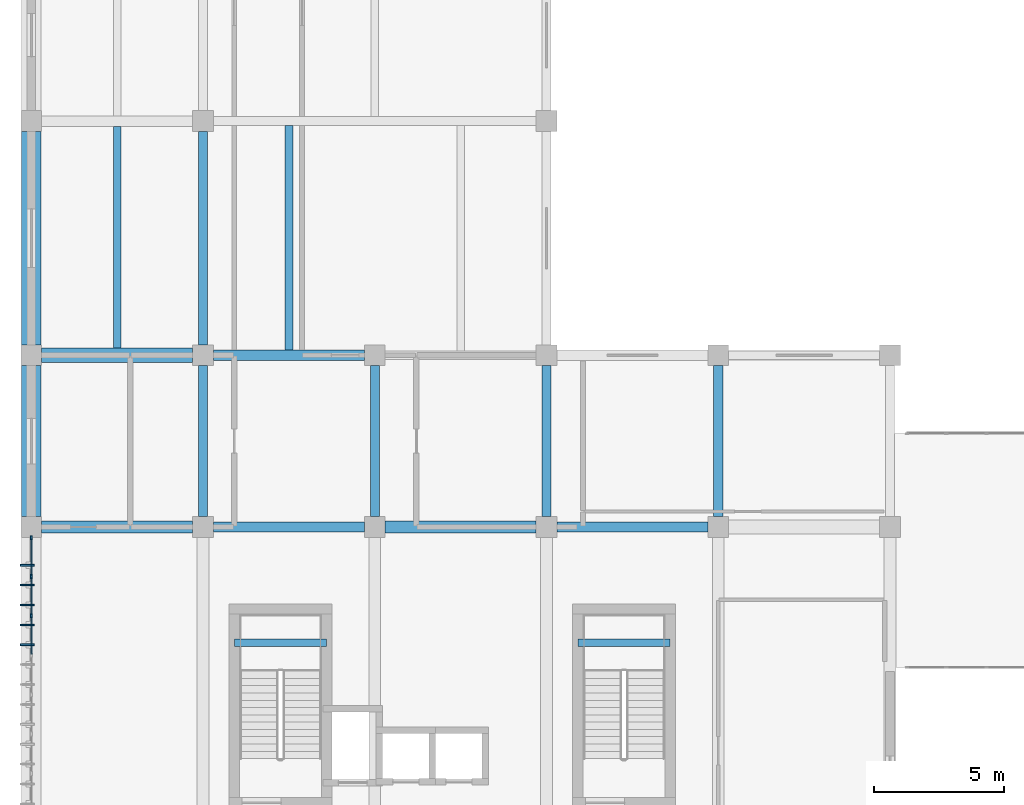
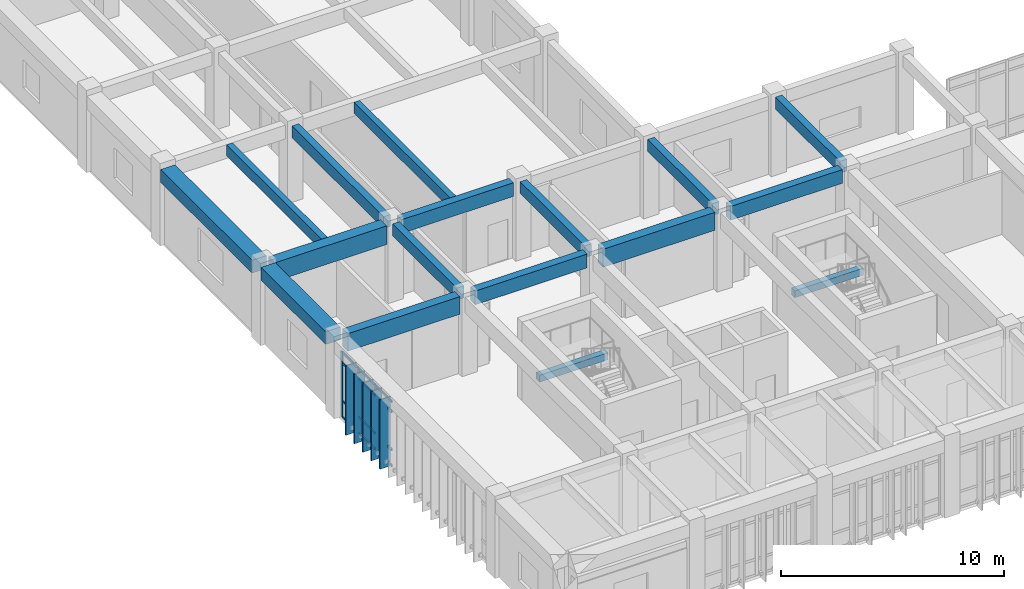
# One storey, part 5 of 54: 20 members, 17 beams, 1 element without a shape of its own.
"""IFC4 building model written with IfcOpenShell, lengths in metres."""

from ifc_helpers import new_model, si_unit, direction, frame, origin, origin_2d, place, context, subcontext, project, spatial, rectangle, extrude, material, layer, layer_set, material_profile, profile_set, type_object, element, aggregate, save


model = new_model("IFC4")

# Units and contexts
model_context = context("Model", 3, precision=1e-05, world=origin(), true_north=direction((0.0, 1.0)))
body_context = subcontext(model_context, "Body", "Model", "MODEL_VIEW")
ifc_project = project(units=[si_unit("LENGTHUNIT", "METRE"), si_unit("AREAUNIT", "SQUARE_METRE"), si_unit("VOLUMEUNIT", "CUBIC_METRE"), si_unit("PLANEANGLEUNIT", "RADIAN"), si_unit("MASSUNIT", "GRAM", prefix="KILO")], contexts=[model_context])

# Site, building, storey
site_placement = place(None, origin())
site = spatial("IfcSite", under=ifc_project, at=site_placement, CompositionType="ELEMENT")
building_placement = place(site_placement, origin())
building = spatial("IfcBuilding", under=site, at=building_placement, Name="Miralva Faculty of Natural Sciences", CompositionType="ELEMENT")
storey_placement = place(building_placement, frame((0.0, 0.0, 19.5)))
storey = spatial("IfcBuildingStorey", under=building, at=storey_placement, Name="L04", CompositionType="ELEMENT", Elevation=19.5)

# Beams
ifc_material_1 = material(Name="Concrete C40/50", Category="concrete")
ifc_material_profile_1 = material_profile(ifc_material_1, rectangle(XDim=0.39990234375, YDim=0.75, at=origin_2d()), Name="RC 400x750")
ifc_profile_set_1 = profile_set([ifc_material_profile_1], Name="Concrete C40/50")
beam_type_1 = type_object("IfcBeamType", Name="BM-B03", PredefinedType="BEAM", material=ifc_profile_set_1)
for number, where, z_axis, x_axis, name in (
    (1, (10.0, 23.39990234375, 3.905029296875), (1.0, 0.0, 0.0), (0.0, 1.0, 0.0), "Girder EW L04-12"),
    (2, (23.199951171875, 23.39990234375, 3.905029296875), (1.0, 0.0, 0.0), (0.0, 1.0, 0.0), "Girder EW L04-14"),
    (3, (10.0, 30.0, 3.804931640625), (1.0, 0.0, 0.0), (0.0, 1.0, 0.0), "Girder EW L04-18"),
):
    element("IfcBeam", number, at=place(storey_placement, frame(where, z_axis=z_axis, x_axis=x_axis)), inside=storey, type_object=beam_type_1, Name=name, PredefinedType="BEAM", context=body_context, shape_type="SweptSolid", body=[
        extrude(rectangle(XDim=0.39990234375, YDim=0.75, at=origin_2d()), origin(), (0.0, 0.0, 1.0), 5.800048828125),
    ])
ifc_material_profile_2 = material_profile(ifc_material_1, rectangle(XDim=0.35009765625, YDim=0.64990234375, at=origin_2d()), Name="RC 350x650")
ifc_profile_set_2 = profile_set([ifc_material_profile_2], Name="Concrete C40/50")
beam_type_2 = type_object("IfcBeamType", Name="BM-B05", PredefinedType="BEAM", material=ifc_profile_set_2)
beam_1_placement = place(storey_placement, frame((9.60009765625, 23.800048828125, 3.955078125), z_axis=(0.0, 1.0, 0.0), x_axis=(-1.0, 0.0, 0.0)))
element("IfcBeam", 4, at=beam_1_placement, inside=storey, type_object=beam_type_2, Name="Girder NS L04-48", PredefinedType="BEAM", context=body_context, shape_type="SweptSolid", body=[
    extrude(rectangle(XDim=0.35009765625, YDim=0.64990234375, at=origin_2d()), origin(), (0.0, 0.0, 1.0), 5.800048828125),
])
beam_2_placement = place(storey_placement, frame((9.60009765625, 30.39990234375, 3.85498046875), z_axis=(0.0, 1.0, 0.0), x_axis=(-1.0, 0.0, 0.0)))
element("IfcBeam", 5, at=beam_2_placement, inside=storey, type_object=beam_type_2, Name="Girder NS L04-49", PredefinedType="BEAM", context=body_context, shape_type="SweptSolid", body=[
    extrude(rectangle(XDim=0.35009765625, YDim=0.64990234375, at=origin_2d()), origin(), (0.0, 0.0, 1.0), 8.2001953125),
])
for number, where, z_axis, x_axis, name in (
    (6, (16.199951171875, 23.800048828125, 3.955078125), (0.0, 1.0, 0.0), (-1.0, 0.0, 0.0), "Girder NS L04-58"),
    (7, (22.800048828125, 23.800048828125, 3.955078125), (0.0, 1.0, 0.0), (-1.0, 0.0, 0.0), "Girder NS L04-61"),
    (8, (29.39990234375, 23.800048828125, 3.955078125), (0.0, 1.0, 0.0), (-1.0, 0.0, 0.0), "Girder NS L04-71"),
):
    element("IfcBeam", number, at=place(storey_placement, frame(where, z_axis=z_axis, x_axis=x_axis)), inside=storey, type_object=beam_type_2, Name=name, PredefinedType="BEAM", context=body_context, shape_type="SweptSolid", body=[
        extrude(rectangle(XDim=0.35009765625, YDim=0.64990234375, at=origin_2d()), origin(), (0.0, 0.0, 1.0), 5.800048828125),
    ])
ifc_material_profile_3 = material_profile(ifc_material_1, rectangle(XDim=0.4599609375, YDim=0.9599609375, at=origin_2d()), Name="RC 460x960")
ifc_profile_set_3 = profile_set([ifc_material_profile_3], Name="Concrete C40/50")
beam_type_3 = type_object("IfcBeamType", Name="BM-BG16", PredefinedType="BEAM", material=ifc_profile_set_3)
beam_3_placement = place(storey_placement, frame((3.39990234375, 23.39990234375, 3.800048828125), z_axis=(1.0, 0.0, 0.0), x_axis=(0.0, 1.0, 0.0)))
element("IfcBeam", 9, at=beam_3_placement, inside=storey, type_object=beam_type_3, Name="Girder EW L04-11", PredefinedType="BEAM", context=body_context, shape_type="SweptSolid", body=[
    extrude(rectangle(XDim=0.4599609375, YDim=0.9599609375, at=origin_2d()), origin(), (0.0, 0.0, 1.0), 5.800048828125),
])
ifc_material_profile_4 = material_profile(ifc_material_1, rectangle(XDim=0.47998046875, YDim=0.97998046875, at=origin_2d()), Name="RC 480x980")
ifc_profile_set_4 = profile_set([ifc_material_profile_4], Name="Concrete C40/50")
beam_type_4 = type_object("IfcBeamType", Name="BM-BG18", PredefinedType="BEAM", material=ifc_profile_set_4)
beam_4_placement = place(storey_placement, frame((16.60009765625, 23.39990234375, 3.7900390625), z_axis=(1.0, 0.0, 0.0), x_axis=(0.0, 1.0, 0.0)))
element("IfcBeam", 10, at=beam_4_placement, inside=storey, type_object=beam_type_4, Name="Girder EW L04-13", PredefinedType="BEAM", context=body_context, shape_type="SweptSolid", body=[
    extrude(rectangle(XDim=0.47998046875, YDim=0.97998046875, at=origin_2d()), origin(), (0.0, 0.0, 1.0), 5.7998046875),
])
ifc_material_profile_5 = material_profile(ifc_material_1, rectangle(XDim=0.56005859375, YDim=1.02001953125, at=origin_2d()), Name="RC 560x1020")
ifc_profile_set_5 = profile_set([ifc_material_profile_5], Name="Concrete C40/50")
beam_type_5 = type_object("IfcBeamType", Name="BM-BG22", PredefinedType="BEAM", material=ifc_profile_set_5)
beam_5_placement = place(storey_placement, frame((3.39990234375, 30.0, 3.669921875), z_axis=(1.0, 0.0, 0.0), x_axis=(0.0, 1.0, 0.0)))
element("IfcBeam", 11, at=beam_5_placement, inside=storey, type_object=beam_type_5, Name="Girder EW L04-17", PredefinedType="BEAM", context=body_context, shape_type="SweptSolid", body=[
    extrude(rectangle(XDim=0.56005859375, YDim=1.02001953125, at=origin_2d()), origin(), (0.0, 0.0, 1.0), 5.800048828125),
])
ifc_material_profile_6 = material_profile(ifc_material_1, rectangle(XDim=0.300048828125, YDim=0.60009765625, at=origin_2d()), Name="RC 300x600")
ifc_profile_set_6 = profile_set([ifc_material_profile_6], Name="Concrete C40/50")
beam_type_6 = type_object("IfcBeamType", Name="BM-J01", PredefinedType="JOIST", material=ifc_profile_set_6)
beam_6_placement = place(storey_placement, frame((6.300048828125, 30.280029296875, 3.8798828125), z_axis=(0.0, 1.0, 0.0), x_axis=(-1.0, 0.0, 0.0)))
element("IfcBeam", 12, at=beam_6_placement, inside=storey, type_object=beam_type_6, Name="Floor joist L04-6", PredefinedType="JOIST", context=body_context, shape_type="SweptSolid", body=[
    extrude(rectangle(XDim=0.300048828125, YDim=0.60009765625, at=origin_2d()), origin(), (0.0, 0.0, 1.0), 8.52001953125),
])
beam_7_placement = place(storey_placement, frame((12.89990234375, 30.199951171875, 3.8798828125), z_axis=(0.0, 1.0, 0.0), x_axis=(-1.0, 0.0, 0.0)))
element("IfcBeam", 13, at=beam_7_placement, inside=storey, type_object=beam_type_6, Name="Floor joist L04-7", PredefinedType="JOIST", context=body_context, shape_type="SweptSolid", body=[
    extrude(rectangle(XDim=0.300048828125, YDim=0.60009765625, at=origin_2d()), origin(), (0.0, 0.0, 1.0), 8.6201171875),
])
ifc_material_profile_7 = material_profile(ifc_material_1, rectangle(XDim=0.300048828125, YDim=0.3798828125, at=origin_2d()), Name="RC 300x380")
ifc_profile_set_7 = profile_set([ifc_material_profile_7], Name="Concrete C40/50")
beam_type_7 = type_object("IfcBeamType", Name="BM-LND01", PredefinedType="BEAM", material=ifc_profile_set_7)
for number, where, z_axis, x_axis, name in (
    (14, (10.800048828125, 18.955078125, 1.8701171875), (1.0, 0.0, 0.0), (0.0, 1.0, 0.0), "Stair Core C1 half-landing support beam L04"),
    (15, (24.0, 18.955078125, 1.8701171875), (1.0, 0.0, 0.0), (0.0, 1.0, 0.0), "Stair Core C1B half-landing support beam L04"),
):
    element("IfcBeam", number, at=place(storey_placement, frame(where, z_axis=z_axis, x_axis=x_axis)), inside=storey, type_object=beam_type_7, Name=name, PredefinedType="BEAM", context=body_context, shape_type="SweptSolid", body=[
        extrude(rectangle(XDim=0.300048828125, YDim=0.3798828125, at=origin_2d()), origin(), (0.0, 0.0, 1.0), 3.550048828125),
    ])
ifc_material_profile_8 = material_profile(ifc_material_1, rectangle(XDim=0.75, YDim=0.699951171875, at=origin_2d()), Name="RC 750x700")
ifc_profile_set_8 = profile_set([ifc_material_profile_8], Name="Concrete C40/50")
beam_type_8 = type_object("IfcBeamType", Name="BM-SP01", PredefinedType="SPANDREL", material=ifc_profile_set_8)
beam_8_placement = place(storey_placement, frame((3.0, 23.800048828125, 3.929931640625), z_axis=(0.0, 1.0, 0.0), x_axis=(-1.0, 0.0, 0.0)))
element("IfcBeam", 16, at=beam_8_placement, inside=storey, type_object=beam_type_8, Name="Girder NS L04-38", PredefinedType="SPANDREL", context=body_context, shape_type="SweptSolid", body=[
    extrude(rectangle(XDim=0.75, YDim=0.699951171875, at=origin_2d()), origin(), (0.0, 0.0, 1.0), 5.800048828125),
])
beam_9_placement = place(storey_placement, frame((3.0, 30.39990234375, 3.830078125), z_axis=(0.0, 1.0, 0.0), x_axis=(-1.0, 0.0, 0.0)))
element("IfcBeam", 17, at=beam_9_placement, inside=storey, type_object=beam_type_8, Name="Girder NS L04-39", PredefinedType="SPANDREL", context=body_context, shape_type="SweptSolid", body=[
    extrude(rectangle(XDim=0.75, YDim=0.699951171875, at=origin_2d()), origin(), (0.0, 0.0, 1.0), 8.2001953125),
])

# Curtain wall, members
ifc_material_2 = material(Name="Laminated solar-control glass", Category="glass")
ifc_layer = layer(ifc_material_2, 0.179931640625, Name="CW-TWR-L03")
ifc_layer_set = layer_set([ifc_layer], Name="Laminated solar-control glass")
curtain_wall_type = type_object("IfcCurtainWallType", Name="CW-TWR-L03", PredefinedType="USERDEFINED", material=ifc_layer_set)
curtain_wall_placement = place(storey_placement, origin())
curtain_wall = element("IfcCurtainWall", 18, at=curtain_wall_placement, inside=storey, type_object=curtain_wall_type, Name="Curtain wall CW-14 L04-233", ObjectType="UNITISED CURTAIN WALL", PredefinedType="USERDEFINED")
ifc_material_3 = material(Name="Anodised aluminium", Category="aluminium")
ifc_material_profile_9 = material_profile(ifc_material_3, rectangle(XDim=0.06494140625, YDim=0.159912109375, at=origin_2d()), Name="MULLION 65x160")
ifc_profile_set_9 = profile_set([ifc_material_profile_9], Name="Anodised aluminium")
member_type_1 = type_object("IfcMemberType", Name="CW-M02", PredefinedType="MULLION", material=ifc_profile_set_9)
member_1_placement = place(storey_placement, frame((3.0, 19.986083984375, 0.0), z_axis=(0.0, 0.0, 1.0), x_axis=(-1.0, 0.0, 0.0)))
member_1 = element("IfcMember", 19, at=member_1_placement, type_object=member_type_1, Name="CW-14 mullion 8", PredefinedType="MULLION", context=body_context, shape_type="SweptSolid", body=[
    extrude(rectangle(XDim=0.06494140625, YDim=0.159912109375, at=origin_2d()), origin(), (0.0, 0.0, 1.0), 3.574951171875),
])
member_2_placement = place(storey_placement, frame((3.0, 21.50048828125, 0.0), z_axis=(0.0, 0.0, 1.0), x_axis=(-1.0, 0.0, 0.0)))
member_2 = element("IfcMember", 20, at=member_2_placement, type_object=member_type_1, Name="CW-14 mullion 9", PredefinedType="MULLION", context=body_context, shape_type="SweptSolid", body=[
    extrude(rectangle(XDim=0.06494140625, YDim=0.159912109375, at=origin_2d()), origin(), (0.0, 0.0, 1.0), 3.574951171875),
])
member_3_placement = place(storey_placement, frame((3.0, 22.982421875, 0.0), z_axis=(0.0, 0.0, 1.0), x_axis=(-1.0, 0.0, 0.0)))
member_3 = element("IfcMember", 21, at=member_3_placement, type_object=member_type_1, Name="CW-14 mullion 10", PredefinedType="MULLION", context=body_context, shape_type="SweptSolid", body=[
    extrude(rectangle(XDim=0.06494140625, YDim=0.159912109375, at=origin_2d()), origin(), (0.0, 0.0, 1.0), 3.574951171875),
])
ifc_material_profile_10 = material_profile(ifc_material_3, rectangle(XDim=0.06005859375, YDim=0.1201171875, at=origin_2d()), Name="TRANSOM 60x120")
ifc_profile_set_10 = profile_set([ifc_material_profile_10], Name="Anodised aluminium")
member_type_2 = type_object("IfcMemberType", Name="CW-T02", PredefinedType="USERDEFINED", material=ifc_profile_set_10)
member_4_placement = place(storey_placement, frame((3.0, 18.504150390625, 0.030029296875), z_axis=(0.0, 1.0, 0.0), x_axis=(-1.0, 0.0, 0.0)))
member_4 = element("IfcMember", 22, at=member_4_placement, type_object=member_type_2, Name="CW-14 transom 7.1", ObjectType="TRANSOM", PredefinedType="USERDEFINED", context=body_context, shape_type="SweptSolid", body=[
    extrude(rectangle(XDim=0.06005859375, YDim=0.1201171875, at=origin_2d()), origin(), (0.0, 0.0, 1.0), 1.449462890625),
])
member_5_placement = place(storey_placement, frame((3.0, 18.504150390625, 0.89990234375), z_axis=(0.0, 1.0, 0.0), x_axis=(-1.0, 0.0, 0.0)))
member_5 = element("IfcMember", 23, at=member_5_placement, type_object=member_type_2, Name="CW-14 transom 7.2", ObjectType="TRANSOM", PredefinedType="USERDEFINED", context=body_context, shape_type="SweptSolid", body=[
    extrude(rectangle(XDim=0.06005859375, YDim=0.1201171875, at=origin_2d()), origin(), (0.0, 0.0, 1.0), 1.449462890625),
])
member_6_placement = place(storey_placement, frame((3.0, 18.504150390625, 2.97509765625), z_axis=(0.0, 1.0, 0.0), x_axis=(-1.0, 0.0, 0.0)))
member_6 = element("IfcMember", 24, at=member_6_placement, type_object=member_type_2, Name="CW-14 transom 7.3", ObjectType="TRANSOM", PredefinedType="USERDEFINED", context=body_context, shape_type="SweptSolid", body=[
    extrude(rectangle(XDim=0.06005859375, YDim=0.1201171875, at=origin_2d()), origin(), (0.0, 0.0, 1.0), 1.449462890625),
])
member_7_placement = place(storey_placement, frame((3.0, 18.504150390625, 3.544921875), z_axis=(0.0, 1.0, 0.0), x_axis=(-1.0, 0.0, 0.0)))
member_7 = element("IfcMember", 25, at=member_7_placement, type_object=member_type_2, Name="CW-14 transom 7.4", ObjectType="TRANSOM", PredefinedType="USERDEFINED", context=body_context, shape_type="SweptSolid", body=[
    extrude(rectangle(XDim=0.06005859375, YDim=0.1201171875, at=origin_2d()), origin(), (0.0, 0.0, 1.0), 1.449462890625),
])
member_8_placement = place(storey_placement, frame((3.0, 20.0185546875, 0.030029296875), z_axis=(0.0, 1.0, 0.0), x_axis=(-1.0, 0.0, 0.0)))
member_8 = element("IfcMember", 26, at=member_8_placement, type_object=member_type_2, Name="CW-14 transom 8.1", ObjectType="TRANSOM", PredefinedType="USERDEFINED", context=body_context, shape_type="SweptSolid", body=[
    extrude(rectangle(XDim=0.06005859375, YDim=0.1201171875, at=origin_2d()), origin(), (0.0, 0.0, 1.0), 1.449462890625),
])
member_9_placement = place(storey_placement, frame((3.0, 20.0185546875, 0.89990234375), z_axis=(0.0, 1.0, 0.0), x_axis=(-1.0, 0.0, 0.0)))
member_9 = element("IfcMember", 27, at=member_9_placement, type_object=member_type_2, Name="CW-14 transom 8.2", ObjectType="TRANSOM", PredefinedType="USERDEFINED", context=body_context, shape_type="SweptSolid", body=[
    extrude(rectangle(XDim=0.06005859375, YDim=0.1201171875, at=origin_2d()), origin(), (0.0, 0.0, 1.0), 1.449462890625),
])
member_10_placement = place(storey_placement, frame((3.0, 20.0185546875, 2.97509765625), z_axis=(0.0, 1.0, 0.0), x_axis=(-1.0, 0.0, 0.0)))
member_10 = element("IfcMember", 28, at=member_10_placement, type_object=member_type_2, Name="CW-14 transom 8.3", ObjectType="TRANSOM", PredefinedType="USERDEFINED", context=body_context, shape_type="SweptSolid", body=[
    extrude(rectangle(XDim=0.06005859375, YDim=0.1201171875, at=origin_2d()), origin(), (0.0, 0.0, 1.0), 1.449462890625),
])
member_11_placement = place(storey_placement, frame((3.0, 20.0185546875, 3.544921875), z_axis=(0.0, 1.0, 0.0), x_axis=(-1.0, 0.0, 0.0)))
member_11 = element("IfcMember", 29, at=member_11_placement, type_object=member_type_2, Name="CW-14 transom 8.4", ObjectType="TRANSOM", PredefinedType="USERDEFINED", context=body_context, shape_type="SweptSolid", body=[
    extrude(rectangle(XDim=0.06005859375, YDim=0.1201171875, at=origin_2d()), origin(), (0.0, 0.0, 1.0), 1.449462890625),
])
member_12_placement = place(storey_placement, frame((3.0, 21.532958984375, 0.030029296875), z_axis=(0.0, 1.0, 0.0), x_axis=(-1.0, 0.0, 0.0)))
member_12 = element("IfcMember", 30, at=member_12_placement, type_object=member_type_2, Name="CW-14 transom 9.1", ObjectType="TRANSOM", PredefinedType="USERDEFINED", context=body_context, shape_type="SweptSolid", body=[
    extrude(rectangle(XDim=0.06005859375, YDim=0.1201171875, at=origin_2d()), origin(), (0.0, 0.0, 1.0), 1.4169921875),
])
member_13_placement = place(storey_placement, frame((3.0, 21.532958984375, 0.89990234375), z_axis=(0.0, 1.0, 0.0), x_axis=(-1.0, 0.0, 0.0)))
member_13 = element("IfcMember", 31, at=member_13_placement, type_object=member_type_2, Name="CW-14 transom 9.2", ObjectType="TRANSOM", PredefinedType="USERDEFINED", context=body_context, shape_type="SweptSolid", body=[
    extrude(rectangle(XDim=0.06005859375, YDim=0.1201171875, at=origin_2d()), origin(), (0.0, 0.0, 1.0), 1.4169921875),
])
member_14_placement = place(storey_placement, frame((3.0, 21.532958984375, 2.97509765625), z_axis=(0.0, 1.0, 0.0), x_axis=(-1.0, 0.0, 0.0)))
member_14 = element("IfcMember", 32, at=member_14_placement, type_object=member_type_2, Name="CW-14 transom 9.3", ObjectType="TRANSOM", PredefinedType="USERDEFINED", context=body_context, shape_type="SweptSolid", body=[
    extrude(rectangle(XDim=0.06005859375, YDim=0.1201171875, at=origin_2d()), origin(), (0.0, 0.0, 1.0), 1.4169921875),
])
member_15_placement = place(storey_placement, frame((3.0, 21.532958984375, 3.544921875), z_axis=(0.0, 1.0, 0.0), x_axis=(-1.0, 0.0, 0.0)))
member_15 = element("IfcMember", 33, at=member_15_placement, type_object=member_type_2, Name="CW-14 transom 9.4", ObjectType="TRANSOM", PredefinedType="USERDEFINED", context=body_context, shape_type="SweptSolid", body=[
    extrude(rectangle(XDim=0.06005859375, YDim=0.1201171875, at=origin_2d()), origin(), (0.0, 0.0, 1.0), 1.4169921875),
])
aggregate(curtain_wall, [member_1, member_2, member_3, member_4, member_5, member_6, member_7, member_8, member_9, member_10, member_11, member_12, member_13, member_14, member_15])

# Members
ifc_material_profile_11 = material_profile(ifc_material_3, rectangle(XDim=0.06494140625, YDim=0.550048828125, at=origin_2d()), Name="FIN 550x65")
ifc_profile_set_11 = profile_set([ifc_material_profile_11], Name="Anodised aluminium")
member_type_3 = type_object("IfcMemberType", Name="MEM-SF03", PredefinedType="USERDEFINED", material=ifc_profile_set_11)
for number, where, z_axis, x_axis, name in (
    (34, (2.840087890625, 18.875244140625, -0.219970703125), (0.0, 0.0, 1.0), (0.0, -1.0, 0.0), "Solar shading fin SF-03 L04-328"),
    (35, (2.840087890625, 19.6396484375, -0.219970703125), (0.0, 0.0, 1.0), (0.0, -1.0, 0.0), "Solar shading fin SF-03 L04-329"),
    (36, (2.840087890625, 20.404052734375, -0.219970703125), (0.0, 0.0, 1.0), (0.0, -1.0, 0.0), "Solar shading fin SF-03 L04-330"),
    (37, (2.840087890625, 21.16845703125, -0.219970703125), (0.0, 0.0, 1.0), (0.0, -1.0, 0.0), "Solar shading fin SF-03 L04-331"),
    (38, (2.840087890625, 21.932861328125, -0.219970703125), (0.0, 0.0, 1.0), (0.0, -1.0, 0.0), "Solar shading fin SF-03 L04-332"),
):
    element("IfcMember", number, at=place(storey_placement, frame(where, z_axis=z_axis, x_axis=x_axis)), inside=storey, type_object=member_type_3, Name=name, ObjectType="SUNSHADE", PredefinedType="USERDEFINED", context=body_context, shape_type="SweptSolid", body=[
        extrude(rectangle(XDim=0.06494140625, YDim=0.550048828125, at=origin_2d()), origin(), (0.0, 0.0, 1.0), 3.794921875),
    ])

save(model, "model.ifc")
